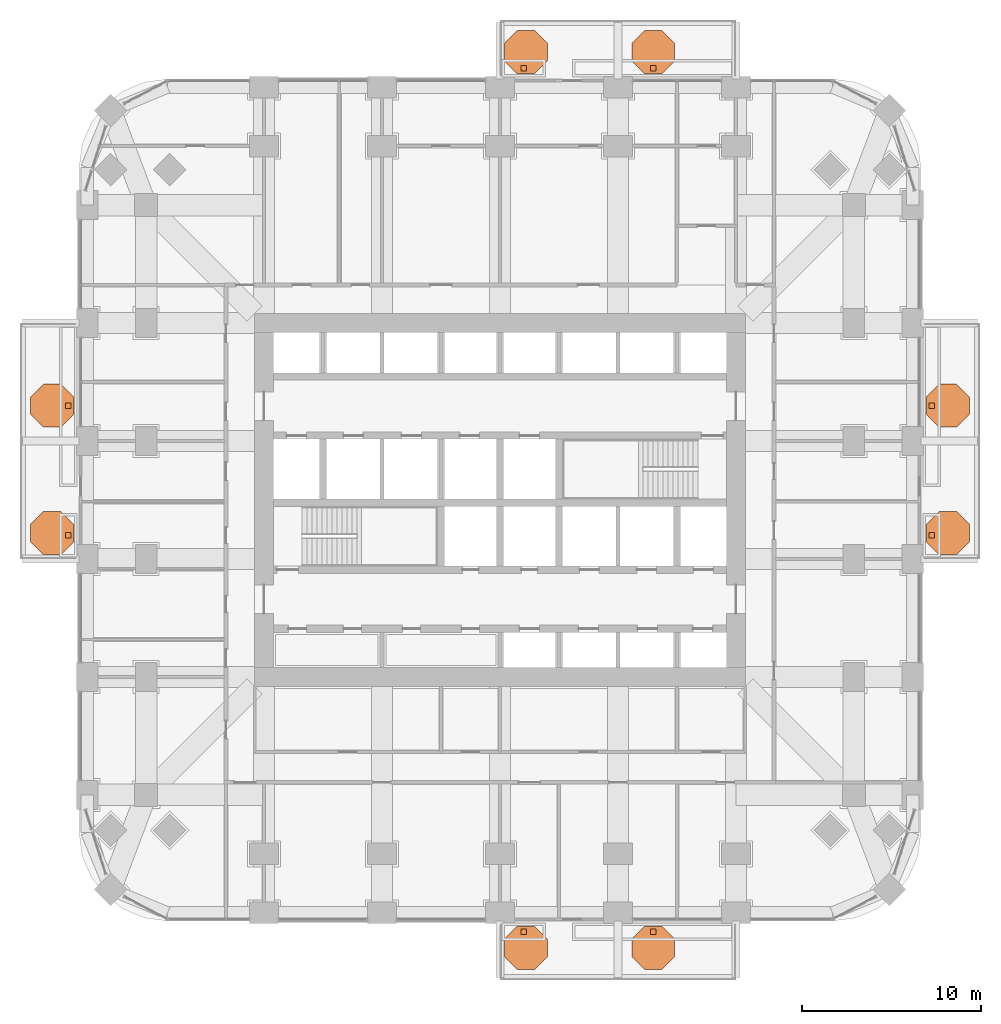
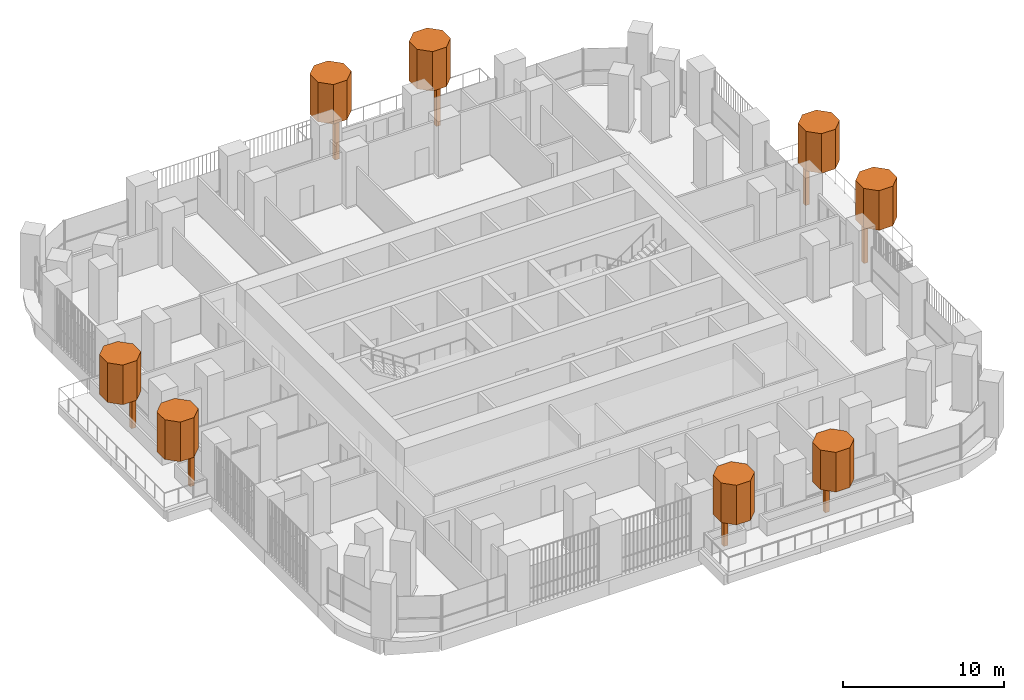
# One storey, part 23 of 23: 16 geographic elements.
"""IFC4 building model written with IfcOpenShell, lengths in metres."""

from ifc_helpers import new_model, si_unit, direction, frame, origin, origin_2d, place, context, subcontext, project, spatial, polyline, rectangle, outline, extrude, material, type_object, element, save


model = new_model("IFC4")

# Units and contexts
model_context = context("Model", 3, precision=1e-05, world=origin(), true_north=direction((0.0, 1.0)))
body_context = subcontext(model_context, "Body", "Model", "MODEL_VIEW")
ifc_project = project(units=[si_unit("LENGTHUNIT", "METRE"), si_unit("AREAUNIT", "SQUARE_METRE"), si_unit("VOLUMEUNIT", "CUBIC_METRE"), si_unit("PLANEANGLEUNIT", "RADIAN"), si_unit("MASSUNIT", "GRAM", prefix="KILO")], contexts=[model_context])

# Site, building, storey
site_placement = place(None, origin())
site = spatial("IfcSite", under=ifc_project, at=site_placement, CompositionType="ELEMENT")
building_placement = place(site_placement, origin())
building = spatial("IfcBuilding", under=site, at=building_placement, Name="Cobogo Forest Laboratory Tower", CompositionType="ELEMENT")
storey_placement = place(building_placement, frame((0.0, 0.0, 103.199951171875)))
storey = spatial("IfcBuildingStorey", under=building, at=storey_placement, Name="L23", CompositionType="ELEMENT", Elevation=103.199951171875)

# Geographic elements
ifc_material = material(Name="Planting", Category="plant")
geographic_element_type_1 = type_object("IfcGeographicElementType", Name="Tree trunk 300", PredefinedType="USERDEFINED", material=ifc_material)
for number, where, z_axis, x_axis, name in (
    (1, (27.72509765625, -1.050048828125, 0.0), (0.0, 0.0, 1.0), (1.0, 0.0, 0.0), "Tree trunk BAL-S1-PL1 L23"),
    (2, (34.97509765625, -1.050048828125, 0.0), (0.0, 0.0, 1.0), (1.0, 0.0, 0.0), "Tree trunk BAL-S1-PL2 L23"),
    (3, (50.550048828125, 21.125, 0.0), (0.0, 0.0, 1.0), (1.0, 0.0, 0.0), "Tree trunk BAL-E1-PL1 L23"),
    (4, (50.550048828125, 28.375, 0.0), (0.0, 0.0, 1.0), (1.0, 0.0, 0.0), "Tree trunk BAL-E1-PL2 L23"),
    (5, (27.72509765625, 47.25, 0.0), (0.0, 0.0, 1.0), (1.0, 0.0, 0.0), "Tree trunk BAL-N1-PL1 L23"),
    (6, (34.97509765625, 47.25, 0.0), (0.0, 0.0, 1.0), (1.0, 0.0, 0.0), "Tree trunk BAL-N1-PL2 L23"),
    (7, (2.25, 21.125, 0.0), (0.0, 0.0, 1.0), (1.0, 0.0, 0.0), "Tree trunk BAL-W1-PL1 L23"),
    (8, (2.25, 28.375, 0.0), (0.0, 0.0, 1.0), (1.0, 0.0, 0.0), "Tree trunk BAL-W1-PL2 L23"),
):
    element("IfcGeographicElement", number, at=place(storey_placement, frame(where, z_axis=z_axis, x_axis=x_axis)), inside=storey, type_object=geographic_element_type_1, Name=name, ObjectType="TREE TRUNK", PredefinedType="USERDEFINED", context=body_context, shape_type="SweptSolid", body=[
        extrude(rectangle(XDim=0.300048828125, YDim=0.300048828125, at=origin_2d()), origin(), (0.0, 0.0, 1.0), 2.89990234375),
    ])
geographic_element_type_2 = type_object("IfcGeographicElementType", Name="Tree, holm oak 5 m", PredefinedType="USERDEFINED", material=ifc_material)
geographic_element_1_placement = place(storey_placement, frame((0.0, 0.0, 2.900146484375)))
element("IfcGeographicElement", 9, at=geographic_element_1_placement, inside=storey, type_object=geographic_element_type_2, Name="Holm tree BAL-S1-PL1 L23", ObjectType="TREE", PredefinedType="USERDEFINED", context=body_context, shape_type="SweptSolid", body=[
    extrude(outline(polyline([(29.050048828125, -2.447021484375), (29.050048828125, -1.452880859375), (28.34716796875, -0.75), (27.35302734375, -0.75), (26.64990234375, -1.452880859375), (26.64990234375, -2.447021484375), (27.35302734375, -3.14990234375), (28.34716796875, -3.14990234375), (29.050048828125, -2.447021484375)])), origin(), (0.0, 0.0, 1.0), 3.0),
])
geographic_element_2_placement = place(storey_placement, frame((0.0, 0.0, 2.900146484375)))
element("IfcGeographicElement", 10, at=geographic_element_2_placement, inside=storey, type_object=geographic_element_type_2, Name="Holm tree BAL-S1-PL2 L23", ObjectType="TREE", PredefinedType="USERDEFINED", context=body_context, shape_type="SweptSolid", body=[
    extrude(outline(polyline([(36.175048828125, -2.447021484375), (36.175048828125, -1.452880859375), (35.47216796875, -0.75), (34.47802734375, -0.75), (33.77490234375, -1.452880859375), (33.77490234375, -2.447021484375), (34.47802734375, -3.14990234375), (35.47216796875, -3.14990234375), (36.175048828125, -2.447021484375)])), origin(), (0.0, 0.0, 1.0), 3.0),
])
geographic_element_3_placement = place(storey_placement, frame((0.0, 0.0, 2.900146484375)))
element("IfcGeographicElement", 11, at=geographic_element_3_placement, inside=storey, type_object=geographic_element_type_2, Name="Holm tree BAL-E1-PL1 L23", ObjectType="TREE", PredefinedType="USERDEFINED", context=body_context, shape_type="SweptSolid", body=[
    extrude(outline(polyline([(52.64990234375, 20.7529296875), (52.64990234375, 21.7470703125), (51.947021484375, 22.449951171875), (50.952880859375, 22.449951171875), (50.25, 21.7470703125), (50.25, 20.7529296875), (50.952880859375, 20.050048828125), (51.947021484375, 20.050048828125), (52.64990234375, 20.7529296875)])), origin(), (0.0, 0.0, 1.0), 3.0),
])
geographic_element_4_placement = place(storey_placement, frame((0.0, 0.0, 2.900146484375)))
element("IfcGeographicElement", 12, at=geographic_element_4_placement, inside=storey, type_object=geographic_element_type_2, Name="Holm tree BAL-E1-PL2 L23", ObjectType="TREE", PredefinedType="USERDEFINED", context=body_context, shape_type="SweptSolid", body=[
    extrude(outline(polyline([(52.64990234375, 27.8779296875), (52.64990234375, 28.8720703125), (51.947021484375, 29.574951171875), (50.952880859375, 29.574951171875), (50.25, 28.8720703125), (50.25, 27.8779296875), (50.952880859375, 27.175048828125), (51.947021484375, 27.175048828125), (52.64990234375, 27.8779296875)])), origin(), (0.0, 0.0, 1.0), 3.0),
])
geographic_element_5_placement = place(storey_placement, frame((0.0, 0.0, 2.900146484375)))
element("IfcGeographicElement", 13, at=geographic_element_5_placement, inside=storey, type_object=geographic_element_type_2, Name="Holm tree BAL-N1-PL1 L23", ObjectType="TREE", PredefinedType="USERDEFINED", context=body_context, shape_type="SweptSolid", body=[
    extrude(outline(polyline([(29.050048828125, 47.65283203125), (29.050048828125, 48.64697265625), (28.34716796875, 49.35009765625), (27.35302734375, 49.35009765625), (26.64990234375, 48.64697265625), (26.64990234375, 47.65283203125), (27.35302734375, 46.949951171875), (28.34716796875, 46.949951171875), (29.050048828125, 47.65283203125)])), origin(), (0.0, 0.0, 1.0), 3.0),
])
geographic_element_6_placement = place(storey_placement, frame((0.0, 0.0, 2.900146484375)))
element("IfcGeographicElement", 14, at=geographic_element_6_placement, inside=storey, type_object=geographic_element_type_2, Name="Holm tree BAL-N1-PL2 L23", ObjectType="TREE", PredefinedType="USERDEFINED", context=body_context, shape_type="SweptSolid", body=[
    extrude(outline(polyline([(36.175048828125, 47.65283203125), (36.175048828125, 48.64697265625), (35.47216796875, 49.35009765625), (34.47802734375, 49.35009765625), (33.77490234375, 48.64697265625), (33.77490234375, 47.65283203125), (34.47802734375, 46.949951171875), (35.47216796875, 46.949951171875), (36.175048828125, 47.65283203125)])), origin(), (0.0, 0.0, 1.0), 3.0),
])
geographic_element_7_placement = place(storey_placement, frame((0.0, 0.0, 2.900146484375)))
element("IfcGeographicElement", 15, at=geographic_element_7_placement, inside=storey, type_object=geographic_element_type_2, Name="Holm tree BAL-W1-PL1 L23", ObjectType="TREE", PredefinedType="USERDEFINED", context=body_context, shape_type="SweptSolid", body=[
    extrude(outline(polyline([(2.550048828125, 20.7529296875), (2.550048828125, 21.7470703125), (1.84716796875, 22.449951171875), (0.85302734375, 22.449951171875), (0.14990234375, 21.7470703125), (0.14990234375, 20.7529296875), (0.85302734375, 20.050048828125), (1.84716796875, 20.050048828125), (2.550048828125, 20.7529296875)])), origin(), (0.0, 0.0, 1.0), 3.0),
])
geographic_element_8_placement = place(storey_placement, frame((0.0, 0.0, 2.900146484375)))
element("IfcGeographicElement", 16, at=geographic_element_8_placement, inside=storey, type_object=geographic_element_type_2, Name="Holm tree BAL-W1-PL2 L23", ObjectType="TREE", PredefinedType="USERDEFINED", context=body_context, shape_type="SweptSolid", body=[
    extrude(outline(polyline([(2.550048828125, 27.8779296875), (2.550048828125, 28.8720703125), (1.84716796875, 29.574951171875), (0.85302734375, 29.574951171875), (0.14990234375, 28.8720703125), (0.14990234375, 27.8779296875), (0.85302734375, 27.175048828125), (1.84716796875, 27.175048828125), (2.550048828125, 27.8779296875)])), origin(), (0.0, 0.0, 1.0), 3.0),
])

save(model, "model.ifc")
